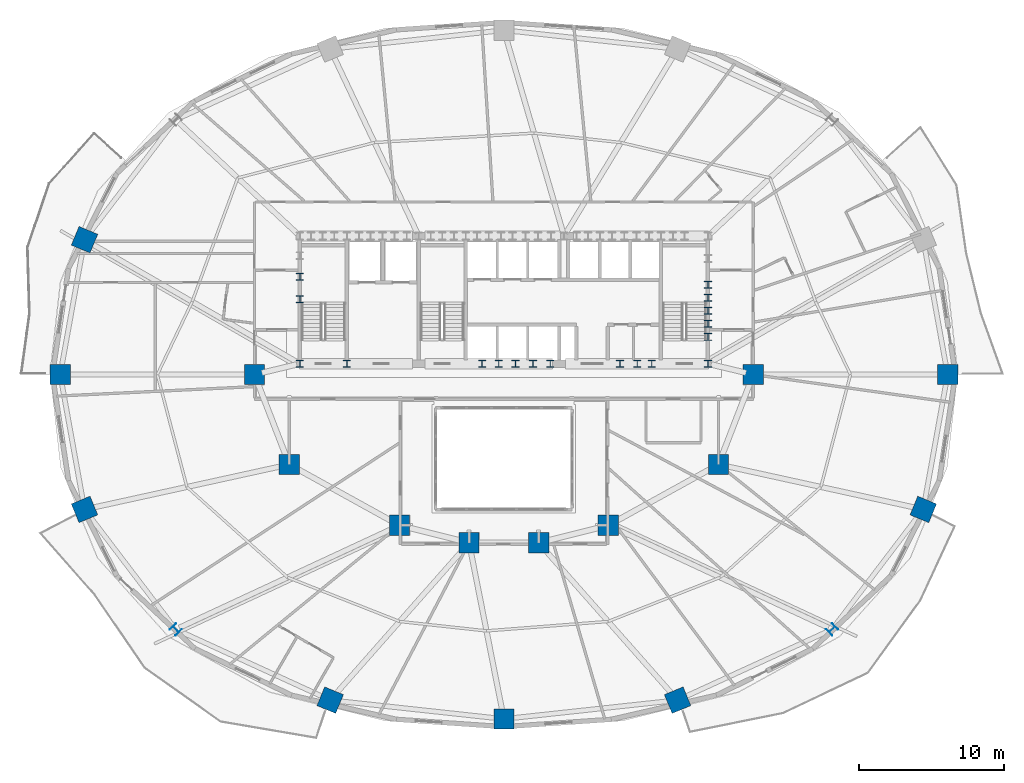
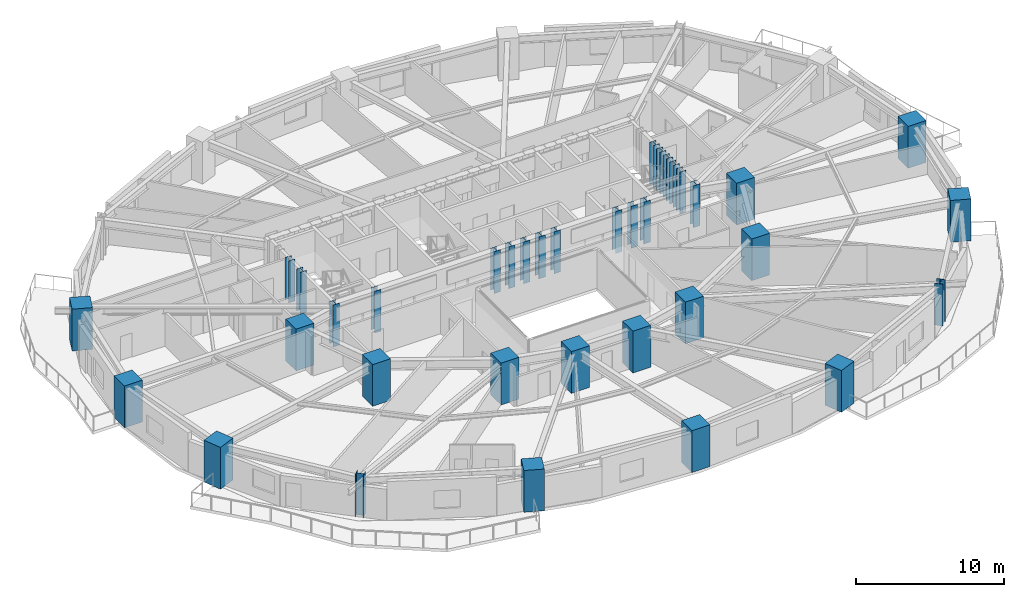
# One storey, part 1 of 17: 36 columns.
"""IFC4 building model written with IfcOpenShell, lengths in metres."""

from ifc_helpers import new_model, si_unit, direction, frame, origin, origin_2d, place, context, subcontext, project, spatial, rectangle, i_section, extrude, material, material_profile, profile_set, type_object, element, save


model = new_model("IFC4")

# Units and contexts
model_context = context("Model", 3, precision=1e-05, world=origin(), true_north=direction((0.0, 1.0)))
body_context = subcontext(model_context, "Body", "Model", "MODEL_VIEW")
ifc_project = project(units=[si_unit("LENGTHUNIT", "METRE"), si_unit("AREAUNIT", "SQUARE_METRE"), si_unit("VOLUMEUNIT", "CUBIC_METRE"), si_unit("PLANEANGLEUNIT", "RADIAN"), si_unit("MASSUNIT", "GRAM", prefix="KILO")], contexts=[model_context])

# Site, building, storey
site_placement = place(None, origin())
site = spatial("IfcSite", under=ifc_project, at=site_placement, CompositionType="ELEMENT")
building_placement = place(site_placement, origin())
building = spatial("IfcBuilding", under=site, at=building_placement, Name="Haldorwick Loom Tower", CompositionType="ELEMENT")
storey_placement = place(building_placement, frame((0.0, 0.0, 65.39990234375)))
storey = spatial("IfcBuildingStorey", under=building, at=storey_placement, Name="L17", CompositionType="ELEMENT", Elevation=65.39990234375)

# Columns
ifc_material_1 = material(Name="Concrete C60 (60 MPa)", Category="concrete")
ifc_material_profile_1 = material_profile(ifc_material_1, rectangle(XDim=1.39990234375, YDim=1.39990234375, at=origin_2d()), Name="RC1400X1400", Category="concrete")
ifc_profile_set_1 = profile_set([ifc_material_profile_1], Name="Concrete C60 (60 MPa)")
column_type_1 = type_object("IfcColumnType", Name="STR-COL-MEGA1400", PredefinedType="COLUMN", material=ifc_profile_set_1)
for number, where, z_axis, x_axis, name in (
    (1, (53.199951171875, 26.0, 0.0), (0.0, 0.0, 1.0), (1.0, 0.0, 0.0), "L17 Inner Column IC-01"),
    (2, (50.800048828125, 19.800048828125, 0.0), (0.0, 0.0, 1.0), (1.0, 0.0, 0.0), "L17 Inner Column IC-02"),
    (3, (43.199951171875, 15.60009765625, 0.0), (0.0, 0.0, 1.0), (1.0, 0.0, 0.0), "L17 Inner Column IC-03"),
    (4, (38.39990234375, 14.39990234375, 0.0), (0.0, 0.0, 1.0), (1.0, 0.0, 0.0), "L17 Inner Column IC-04"),
    (5, (33.60009765625, 14.39990234375, 0.0), (0.0, 0.0, 1.0), (1.0, 0.0, 0.0), "L17 Inner Column IC-05"),
    (6, (28.800048828125, 15.60009765625, 0.0), (0.0, 0.0, 1.0), (1.0, 0.0, 0.0), "L17 Inner Column IC-06"),
    (7, (21.199951171875, 19.800048828125, 0.0), (0.0, 0.0, 1.0), (1.0, 0.0, 0.0), "L17 Inner Column IC-07"),
    (8, (18.800048828125, 26.0, 0.0), (0.0, 0.0, 1.0), (1.0, 0.0, 0.0), "L17 Inner Column IC-08"),
):
    element("IfcColumn", number, at=place(storey_placement, frame(where, z_axis=z_axis, x_axis=x_axis)), inside=storey, type_object=column_type_1, Name=name, PredefinedType="COLUMN", context=body_context, shape_type="SweptSolid", body=[
        extrude(rectangle(XDim=1.39990234375, YDim=1.39990234375, at=origin_2d()), origin(), (0.0, 0.0, 1.0), 3.4501953125),
    ])
ifc_material_profile_2 = material_profile(ifc_material_1, rectangle(XDim=1.39990234375, YDim=1.39990234375, at=origin_2d()), Name="RC1400X1400", Category="concrete")
ifc_profile_set_2 = profile_set([ifc_material_profile_2], Name="Concrete C60 (60 MPa)")
column_type_2 = type_object("IfcColumnType", Name="STR-COL-RC1400", PredefinedType="PILASTER", material=ifc_profile_set_2)
for number, where, z_axis, x_axis, name in (
    (9, (66.595947265625, 26.0, 0.0), (0.0, 0.0, 1.0), (1.0, 0.0, 0.0), "L17 Perimeter Pier Column P01"),
    (10, (7.08251953125, 35.29931640625, 0.0), (0.0, 0.0, 1.0), (-0.923879532511, 0.382683432365, 0.0), "L17 Perimeter Pier Column P08"),
    (11, (5.404052734375, 26.0, 0.0), (0.0, 0.0, 1.0), (-1.0, 0.0, 0.0), "L17 Perimeter Pier Column P09"),
    (12, (7.08251953125, 16.70068359375, 0.0), (0.0, 0.0, 1.0), (-0.923879532511, -0.382683432365, 0.0), "L17 Perimeter Pier Column P10"),
    (13, (24.02197265625, 3.5498046875, 0.0), (0.0, 0.0, 1.0), (-0.382683432365, -0.923879532511, 0.0), "L17 Perimeter Pier Column P12"),
    (14, (36.0, 2.25, 0.0), (0.0, 0.0, 1.0), (0.0, -1.0, 0.0), "L17 Perimeter Pier Column P13"),
    (15, (47.97802734375, 3.5498046875, 0.0), (0.0, 0.0, 1.0), (0.382683432365, -0.923879532511, 0.0), "L17 Perimeter Pier Column P14"),
    (16, (64.91748046875, 16.70068359375, 0.0), (0.0, 0.0, 1.0), (0.923879532511, -0.382683432365, 0.0), "L17 Perimeter Pier Column P16"),
):
    element("IfcColumn", number, at=place(storey_placement, frame(where, z_axis=z_axis, x_axis=x_axis)), inside=storey, type_object=column_type_2, Name=name, PredefinedType="PILASTER", context=body_context, shape_type="SweptSolid", body=[
        extrude(rectangle(XDim=1.39990234375, YDim=1.39990234375, at=origin_2d()), origin(), (0.0, 0.0, 1.0), 3.4501953125),
    ])
ifc_material_2 = material(Name="Steel CSA G40.21 350WT", Category="steel")
ifc_material_profile_3 = material_profile(ifc_material_2, i_section(OverallWidth=0.5, OverallDepth=0.5, WebThickness=0.02197265625, FlangeThickness=0.031982421875, at=origin_2d()), Name="WWF500X500", Category="steel")
ifc_profile_set_3 = profile_set([ifc_material_profile_3], Name="Steel CSA G40.21 350WT")
column_type_3 = type_object("IfcColumnType", Name="STR-COL-WWF500", PredefinedType="COLUMN", material=ifc_profile_set_3)
for number, where, z_axis, x_axis, name in (
    (17, (21.929931640625, 26.75, 0.0), (0.0, 0.0, 1.0), (1.0, 0.0, 0.0), "L17 Core Pilaster CB-19"),
    (18, (25.169921875, 26.75, 0.0), (0.0, 0.0, 1.0), (1.0, 0.0, 0.0), "L17 Core Pilaster CB-20"),
    (19, (34.5, 26.75, 0.0), (0.0, 0.0, 1.0), (1.0, 0.0, 0.0), "L17 Core Pilaster CB-21"),
    (20, (36.800048828125, 26.75, 0.0), (0.0, 0.0, 1.0), (1.0, 0.0, 0.0), "L17 Core Pilaster CB-22"),
    (21, (39.199951171875, 26.75, 0.0), (0.0, 0.0, 1.0), (1.0, 0.0, 0.0), "L17 Core Pilaster CB-23"),
    (22, (45.199951171875, 26.75, 0.0), (0.0, 0.0, 1.0), (1.0, 0.0, 0.0), "L17 Core Pilaster CB-24"),
    (23, (50.070068359375, 26.75, 0.0), (0.0, 0.0, 1.0), (1.0, 0.0, 0.0), "L17 Core Pilaster CB-25"),
    (24, (21.929931640625, 31.199951171875, 0.0), (0.0, 0.0, 1.0), (1.0, 0.0, 0.0), "L17 Core Pilaster CB-26"),
    (25, (21.929931640625, 32.75, 0.0), (0.0, 0.0, 1.0), (1.0, 0.0, 0.0), "L17 Core Pilaster CB-27"),
    (26, (50.070068359375, 28.60009765625, 0.0), (0.0, 0.0, 1.0), (1.0, 0.0, 0.0), "L17 Core Pilaster CB-29"),
    (27, (50.070068359375, 30.39990234375, 0.0), (0.0, 0.0, 1.0), (1.0, 0.0, 0.0), "L17 Core Pilaster CB-30"),
    (28, (50.070068359375, 32.199951171875, 0.0), (0.0, 0.0, 1.0), (1.0, 0.0, 0.0), "L17 Core Pilaster CB-31"),
    (29, (50.070068359375, 29.5, 0.0), (0.0, 0.0, 1.0), (1.0, 0.0, 0.0), "L17 Core Pilaster CB-49"),
    (30, (50.070068359375, 31.300048828125, 0.0), (0.0, 0.0, 1.0), (1.0, 0.0, 0.0), "L17 Core Pilaster CB-50"),
    (31, (35.64990234375, 26.75, 0.0), (0.0, 0.0, 1.0), (1.0, 0.0, 0.0), "L17 Core Pilaster CB-51"),
    (32, (38.0, 26.75, 0.0), (0.0, 0.0, 1.0), (1.0, 0.0, 0.0), "L17 Core Pilaster CB-52"),
    (33, (44.0, 26.75, 0.0), (0.0, 0.0, 1.0), (1.0, 0.0, 0.0), "L17 Core Pilaster CB-53"),
    (34, (46.199951171875, 26.75, 0.0), (0.0, 0.0, 1.0), (1.0, 0.0, 0.0), "L17 Core Pilaster CB-54"),
):
    element("IfcColumn", number, at=place(storey_placement, frame(where, z_axis=z_axis, x_axis=x_axis)), inside=storey, type_object=column_type_3, Name=name, PredefinedType="COLUMN", context=body_context, shape_type="SweptSolid", body=[
        extrude(i_section(OverallWidth=0.5, OverallDepth=0.5, WebThickness=0.02197265625, FlangeThickness=0.031982421875, at=origin_2d()), origin(), (0.0, 0.0, 1.0), 3.4501953125),
    ])
ifc_material_profile_4 = material_profile(ifc_material_2, i_section(OverallWidth=0.60009765625, OverallDepth=0.60009765625, WebThickness=0.02490234375, FlangeThickness=0.035888671875, at=origin_2d()), Name="WWF600X600", Category="steel")
ifc_profile_set_4 = profile_set([ifc_material_profile_4], Name="Steel CSA G40.21 350WT")
column_type_4 = type_object("IfcColumnType", Name="STR-COL-WWF600", PredefinedType="COLUMN", material=ifc_profile_set_4)
for number, where, z_axis, x_axis, name in (
    (35, (13.369873046875, 8.428466796875, 0.0), (0.0, 0.0, 1.0), (-0.707106781187, -0.707106781187, 0.0), "L17 Perimeter Pier Column P11"),
    (36, (58.630126953125, 8.428466796875, 0.0), (0.0, 0.0, 1.0), (0.707106781187, -0.707106781187, 0.0), "L17 Perimeter Pier Column P15"),
):
    element("IfcColumn", number, at=place(storey_placement, frame(where, z_axis=z_axis, x_axis=x_axis)), inside=storey, type_object=column_type_4, Name=name, PredefinedType="COLUMN", context=body_context, shape_type="SweptSolid", body=[
        extrude(i_section(OverallWidth=0.60009765625, OverallDepth=0.60009765625, WebThickness=0.02490234375, FlangeThickness=0.035888671875, at=origin_2d()), origin(), (0.0, 0.0, 1.0), 3.4501953125),
    ])

save(model, "model.ifc")
